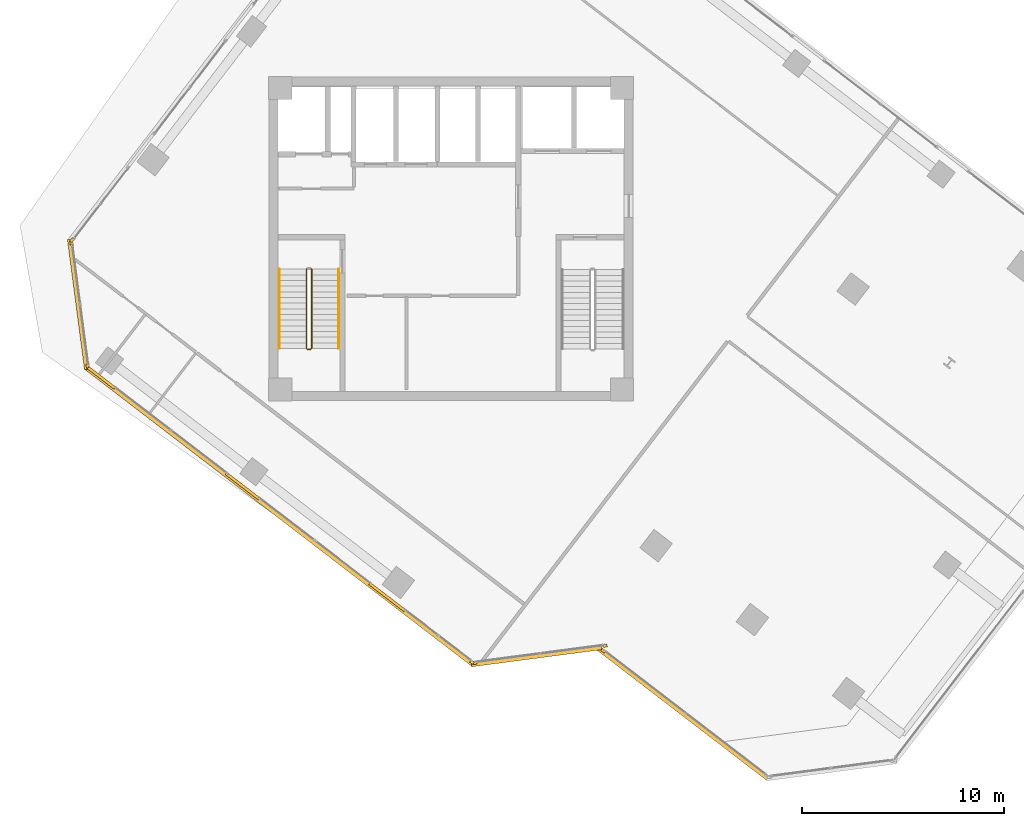
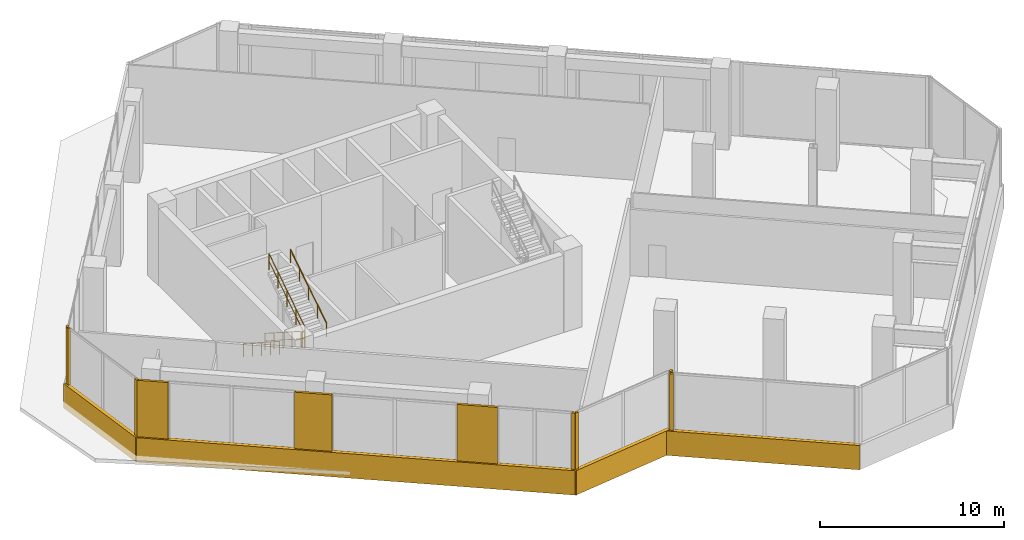
# One storey, part 20 of 23: 14 coverings, 5 railings.
"""IFC4 building model written with IfcOpenShell, lengths in metres."""

from ifc_helpers import new_model, si_unit, direction, frame, origin, origin_2d, place, context, subcontext, project, spatial, rectangle, circle, extrude, source, transform, mapped, material, layer, layer_set, type_object, element, save


model = new_model("IFC4")

# Units and contexts
model_context = context("Model", 3, precision=1e-05, world=origin(), true_north=direction((0.0, 1.0)))
body_context = subcontext(model_context, "Body", "Model", "MODEL_VIEW")
ifc_project = project(units=[si_unit("LENGTHUNIT", "METRE"), si_unit("AREAUNIT", "SQUARE_METRE"), si_unit("VOLUMEUNIT", "CUBIC_METRE"), si_unit("PLANEANGLEUNIT", "RADIAN"), si_unit("MASSUNIT", "GRAM", prefix="KILO")], contexts=[model_context])

# Site, building, storey
site_placement = place(None, origin())
site = spatial("IfcSite", under=ifc_project, at=site_placement, CompositionType="ELEMENT")
building_placement = place(site_placement, origin())
building = spatial("IfcBuilding", under=site, at=building_placement, Name="Torre Montelarca", CompositionType="ELEMENT")
storey_placement = place(building_placement, frame((0.0, 0.0, 204.39990234375)))
storey = spatial("IfcBuildingStorey", under=building, at=storey_placement, Name="L46", CompositionType="ELEMENT", Elevation=204.39990234375)

# Railings
ifc_material_1 = material(Name="Powder-coated steel ASTM A500 Grade C", Category="steel")
railing_type_1 = type_object("IfcRailingType", Name="RL-GUARD-1100", PredefinedType="BALUSTRADE", material=ifc_material_1)
railing_1_placement = place(storey_placement, frame((10.85009765625, 30.5, 0.18017578125)))
element("IfcRailing", 1, at=railing_1_placement, inside=storey, type_object=railing_type_1, Name="L46 ST1 stair guard 1", PredefinedType="BALUSTRADE", context=body_context, shape_type="SweptSolid", body=[
    extrude(circle(Radius=0.02392578125, at=origin_2d()), frame((0.0, 0.0, 1.076171875), z_axis=(0.0, -0.841171666519, 0.540768182723), x_axis=(1.0, 0.0, 0.0)), (0.0, 0.0, 1.0), 4.66015625),
    extrude(circle(Radius=0.02099609375, at=origin_2d()), frame((0.0, 0.0, 0.572021484375), z_axis=(0.0, -0.841171666519, 0.540768182723), x_axis=(1.0, 0.0, 0.0)), (0.0, 0.0, 1.0), 4.66015625),
    extrude(circle(Radius=0.02099609375, at=origin_2d()), origin(), (0.0, 0.0, 1.0), 1.052001953125),
    extrude(circle(Radius=0.02099609375, at=origin_2d()), frame((0.0, -0.97998046875, 0.6298828125)), (0.0, 0.0, 1.0), 1.052001953125),
    extrude(circle(Radius=0.02099609375, at=origin_2d()), frame((0.0, -1.9599609375, 1.260009765625)), (0.0, 0.0, 1.0), 1.052001953125),
    extrude(circle(Radius=0.02099609375, at=origin_2d()), frame((0.0, -2.93994140625, 1.89013671875)), (0.0, 0.0, 1.0), 1.052001953125),
    extrude(circle(Radius=0.02099609375, at=origin_2d()), frame((0.0, -3.919921875, 2.52001953125)), (0.0, 0.0, 1.0), 1.052001953125),
])
railing_2_placement = place(storey_placement, frame((10.89990234375, 26.530029296875, 2.7001953125)))
element("IfcRailing", 2, at=railing_2_placement, inside=storey, type_object=railing_type_1, Name="L46 ST1 stair guard 2", PredefinedType="BALUSTRADE", context=body_context, shape_type="SweptSolid", body=[
    extrude(circle(Radius=0.02392578125, at=origin_2d()), frame((0.0, 0.0, 1.076171875), z_axis=(1.0, 0.0, 0.0), x_axis=(0.0, 1.0, 0.0)), (0.0, 0.0, 1.0), 0.150146484375),
    extrude(circle(Radius=0.02099609375, at=origin_2d()), frame((0.0, 0.0, 0.572021484375), z_axis=(1.0, 0.0, 0.0), x_axis=(0.0, 1.0, 0.0)), (0.0, 0.0, 1.0), 0.150146484375),
    extrude(circle(Radius=0.02099609375, at=origin_2d()), origin(), (0.0, 0.0, 1.0), 1.052001953125),
    extrude(circle(Radius=0.02099609375, at=origin_2d()), frame((0.150146484375, 0.0, 0.0)), (0.0, 0.0, 1.0), 1.052001953125),
])
railing_3_placement = place(storey_placement, frame((11.10009765625, 26.580078125, 2.880126953125)))
element("IfcRailing", 3, at=railing_3_placement, inside=storey, type_object=railing_type_1, Name="L46 ST1 stair guard 3", PredefinedType="BALUSTRADE", context=body_context, shape_type="SweptSolid", body=[
    extrude(circle(Radius=0.02392578125, at=origin_2d()), frame((0.0, 0.0, 1.076171875), z_axis=(0.0, 0.841171666519, 0.540768182723), x_axis=(-1.0, 0.0, 0.0)), (0.0, 0.0, 1.0), 4.66015625),
    extrude(circle(Radius=0.02099609375, at=origin_2d()), frame((0.0, 0.0, 0.572021484375), z_axis=(0.0, 0.841171666519, 0.540768182723), x_axis=(-1.0, 0.0, 0.0)), (0.0, 0.0, 1.0), 4.66015625),
    extrude(circle(Radius=0.02099609375, at=origin_2d()), origin(), (0.0, 0.0, 1.0), 1.052001953125),
    extrude(circle(Radius=0.02099609375, at=origin_2d()), frame((0.0, 0.97998046875, 0.6298828125)), (0.0, 0.0, 1.0), 1.052001953125),
    extrude(circle(Radius=0.02099609375, at=origin_2d()), frame((0.0, 1.9599609375, 1.260009765625)), (0.0, 0.0, 1.0), 1.052001953125),
    extrude(circle(Radius=0.02099609375, at=origin_2d()), frame((0.0, 2.93994140625, 1.89013671875)), (0.0, 0.0, 1.0), 1.052001953125),
    extrude(circle(Radius=0.02099609375, at=origin_2d()), frame((0.0, 3.919921875, 2.52001953125)), (0.0, 0.0, 1.0), 1.052001953125),
])
ifc_material_2 = material(Name="Brushed stainless steel AISI 316", Category="steel")
railing_type_2 = type_object("IfcRailingType", Name="RL-HANDRAIL-900", PredefinedType="HANDRAIL", material=ifc_material_2)
railing_4_placement = place(storey_placement, frame((9.5, 30.5, 0.18017578125)))
element("IfcRailing", 4, at=railing_4_placement, inside=storey, type_object=railing_type_2, Name="L46 ST1 stair handrail 1", PredefinedType="HANDRAIL", context=body_context, shape_type="SweptSolid", body=[
    extrude(circle(Radius=0.02392578125, at=origin_2d()), frame((0.0, 0.0, 0.8759765625), z_axis=(0.0, -0.841171666519, 0.540768182723), x_axis=(1.0, 0.0, 0.0)), (0.0, 0.0, 1.0), 4.66015625),
    extrude(circle(Radius=0.02099609375, at=origin_2d()), origin(), (0.0, 0.0, 1.0), 0.851806640625),
    extrude(circle(Radius=0.02099609375, at=origin_2d()), frame((0.0, -0.97998046875, 0.6298828125)), (0.0, 0.0, 1.0), 0.851806640625),
    extrude(circle(Radius=0.02099609375, at=origin_2d()), frame((0.0, -1.9599609375, 1.260009765625)), (0.0, 0.0, 1.0), 0.851806640625),
    extrude(circle(Radius=0.02099609375, at=origin_2d()), frame((0.0, -2.93994140625, 1.89013671875)), (0.0, 0.0, 1.0), 0.851806640625),
    extrude(circle(Radius=0.02099609375, at=origin_2d()), frame((0.0, -3.919921875, 2.52001953125)), (0.0, 0.0, 1.0), 0.851806640625),
])
railing_5_placement = place(storey_placement, frame((12.449951171875, 26.580078125, 2.880126953125)))
element("IfcRailing", 5, at=railing_5_placement, inside=storey, type_object=railing_type_2, Name="L46 ST1 stair handrail 2", PredefinedType="HANDRAIL", context=body_context, shape_type="SweptSolid", body=[
    extrude(circle(Radius=0.02392578125, at=origin_2d()), frame((0.0, 0.0, 0.8759765625), z_axis=(0.0, 0.841171666519, 0.540768182723), x_axis=(-1.0, 0.0, 0.0)), (0.0, 0.0, 1.0), 4.66015625),
    extrude(circle(Radius=0.02099609375, at=origin_2d()), origin(), (0.0, 0.0, 1.0), 0.851806640625),
    extrude(circle(Radius=0.02099609375, at=origin_2d()), frame((0.0, 0.97998046875, 0.6298828125)), (0.0, 0.0, 1.0), 0.851806640625),
    extrude(circle(Radius=0.02099609375, at=origin_2d()), frame((0.0, 1.9599609375, 1.260009765625)), (0.0, 0.0, 1.0), 0.851806640625),
    extrude(circle(Radius=0.02099609375, at=origin_2d()), frame((0.0, 2.93994140625, 1.89013671875)), (0.0, 0.0, 1.0), 0.851806640625),
    extrude(circle(Radius=0.02099609375, at=origin_2d()), frame((0.0, 3.919921875, 2.52001953125)), (0.0, 0.0, 1.0), 0.851806640625),
])

# Coverings
ifc_material_3 = material(Name="Bush-hammered warm white precast concrete C45/55", Category="concrete")
ifc_layer = layer(ifc_material_3, 0.139892578125, Name="Bush-hammered warm white precast concrete C45/55", Category="concrete")
ifc_layer_set = layer_set([ifc_layer], Name="Bush-hammered warm white precast concrete C45/55")
covering_type = type_object("IfcCoveringType", Name="COV-TRAY-CLAD", PredefinedType="CLADDING", material=ifc_layer_set)
shared_shape_1 = source(origin(), body_context, "Body", "SweptSolid", [
    extrude(rectangle(XDim=24.219970703125, YDim=0.219970703125, at=origin_2d()), origin(), (0.0, 0.0, 1.0), 1.6201171875),
])
covering_1_placement = place(storey_placement, frame((9.526611328125, 18.284912109375, -0.449951171875), z_axis=(0.0, 0.0, 1.0), x_axis=(0.793354402779, -0.608760044345, 0.0)))
element("IfcCovering", 6, at=covering_1_placement, inside=storey, type_object=covering_type, Name="L46 Architectural White Spandrel Tray Band TRYBOT-01", PredefinedType="CLADDING", context=body_context, shape_type="MappedRepresentation", body=[
    mapped(shared_shape_1, transform((0.0, 0.0, 0.0), scale=1.0)),
])
shared_shape_2 = source(origin(), body_context, "Body", "SweptSolid", [
    extrude(rectangle(XDim=6.48388671875, YDim=0.219970703125, at=origin_2d()), origin(), (0.0, 0.0, 1.0), 1.6201171875),
])
for number, where, z_axis, x_axis, name in (
    (7, (22.218994140625, 11.37060546875, -0.449951171875), (0.0, 0.0, 1.0), (0.991446000392, 0.130517540226, 0.0), "L46 Architectural White Spandrel Tray Band TRYBOT-02"),
    (8, (-0.437255859375, 28.75537109375, -0.449951171875), (0.0, 0.0, 1.0), (0.130531383411, -0.991444177927, 0.0), "L46 Architectural White Spandrel Tray Band TRYBOT-11"),
):
    element("IfcCovering", number, at=place(storey_placement, frame(where, z_axis=z_axis, x_axis=x_axis)), inside=storey, type_object=covering_type, Name=name, PredefinedType="CLADDING", context=body_context, shape_type="MappedRepresentation", body=[
        mapped(shared_shape_2, transform((0.0, 0.0, 0.0), scale=1.0)),
    ])
shared_shape_3 = source(origin(), body_context, "Body", "SweptSolid", [
    extrude(rectangle(XDim=0.199951171875, YDim=0.139892578125, at=origin_2d()), origin(), (0.0, 0.0, 1.0), 4.919921875),
])
for number, where, z_axis, x_axis, name in (
    (9, (19.031005859375, 11.0673828125, 0.000244140625), (0.0, 0.0, 1.0), (0.793352277801, -0.608762813671, 0.0), "L46 Architectural Column Pier Cladding E01-4"),
    (10, (19.171142578125, 11.02978515625, 0.000244140625), (0.0, 0.0, 1.0), (0.991446683767, 0.130512349026, 0.0), "L46 Architectural Column Pier Cladding E02-1"),
    (11, (25.61572265625, 11.878173828125, 0.000244140625), (0.0, 0.0, 1.0), (0.991446683767, 0.130512349026, 0.0), "L46 Architectural Column Pier Cladding E02-2"),
    (12, (25.523681640625, 11.63134765625, 0.000244140625), (0.0, 0.0, 1.0), (0.793351215308, -0.608764198331, 0.0), "L46 Architectural Column Pier Cladding E04-1"),
    (13, (-0.740478515625, 31.943115234375, 0.000244140625), (0.0, 0.0, 1.0), (-0.608764198331, -0.793351215308, 0.0), "L46 Architectural Column Pier Cladding E10-5"),
    (14, (-0.778076171875, 31.802978515625, 0.000244140625), (0.0, 0.0, 1.0), (0.130531383411, -0.991444177927, 0.0), "L46 Architectural Column Pier Cladding E11-1"),
    (15, (0.0224609375, 25.723388671875, 0.000244140625), (0.0, 0.0, 1.0), (0.130531383411, -0.991444177927, 0.0), "L46 Architectural Column Pier Cladding E11-2"),
):
    element("IfcCovering", number, at=place(storey_placement, frame(where, z_axis=z_axis, x_axis=x_axis)), inside=storey, type_object=covering_type, Name=name, PredefinedType="CLADDING", context=body_context, shape_type="MappedRepresentation", body=[
        mapped(shared_shape_3, transform((0.0, 0.0, 0.0), scale=1.0)),
    ])
shared_shape_4 = source(origin(), body_context, "Body", "SweptSolid", [
    extrude(rectangle(XDim=2.2099609375, YDim=0.139892578125, at=origin_2d()), origin(), (0.0, 0.0, 1.0), 4.919921875),
])
covering_2_placement = place(storey_placement, frame((14.8388671875, 14.2841796875, 0.000244140625), z_axis=(0.0, 0.0, 1.0), x_axis=(0.793352277801, -0.608762813671, 0.0)))
element("IfcCovering", 16, at=covering_2_placement, inside=storey, type_object=covering_type, Name="L46 Architectural Column Pier Cladding E01-3", PredefinedType="CLADDING", context=body_context, shape_type="MappedRepresentation", body=[
    mapped(shared_shape_4, transform((0.0, 0.0, 0.0), scale=1.0)),
])
shared_shape_5 = source(origin(), body_context, "Body", "SweptSolid", [
    extrude(rectangle(XDim=10.6201171875, YDim=0.219970703125, at=origin_2d()), origin(), (0.0, 0.0, 1.0), 1.6201171875),
])
covering_3_placement = place(storey_placement, frame((29.5, 8.504638671875, -0.449951171875), z_axis=(0.0, 0.0, 1.0), x_axis=(0.793352277801, -0.608762813671, 0.0)))
element("IfcCovering", 17, at=covering_3_placement, inside=storey, type_object=covering_type, Name="L46 Architectural White Spandrel Tray Band TRYBOT-04", PredefinedType="CLADDING", context=body_context, shape_type="MappedRepresentation", body=[
    mapped(shared_shape_5, transform((0.0, 0.0, 0.0), scale=1.0)),
])
shared_shape_6 = source(origin(), body_context, "Body", "SweptSolid", [
    extrude(rectangle(XDim=1.714111328125, YDim=0.139892578125, at=origin_2d()), origin(), (0.0, 0.0, 1.0), 4.919921875),
])
covering_4_placement = place(storey_placement, frame((0.69580078125, 25.13671875, 0.000244140625), z_axis=(0.0, 0.0, 1.0), x_axis=(0.793352277801, -0.608762813671, 0.0)))
element("IfcCovering", 18, at=covering_4_placement, inside=storey, type_object=covering_type, Name="L46 Architectural Column Pier Cladding E01-1", PredefinedType="CLADDING", context=body_context, shape_type="MappedRepresentation", body=[
    mapped(shared_shape_6, transform((0.0, 0.0, 0.0), scale=1.0)),
])
shared_shape_7 = source(origin(), body_context, "Body", "SweptSolid", [
    extrude(rectangle(XDim=2.06005859375, YDim=0.139892578125, at=origin_2d()), origin(), (0.0, 0.0, 1.0), 4.919921875),
])
covering_5_placement = place(storey_placement, frame((7.698486328125, 19.76318359375, 0.000244140625), z_axis=(0.0, 0.0, 1.0), x_axis=(0.793352277801, -0.608762813671, 0.0)))
element("IfcCovering", 19, at=covering_5_placement, inside=storey, type_object=covering_type, Name="L46 Architectural Column Pier Cladding E01-2", PredefinedType="CLADDING", context=body_context, shape_type="MappedRepresentation", body=[
    mapped(shared_shape_7, transform((0.0, 0.0, 0.0), scale=1.0)),
])

save(model, "model.ifc")
